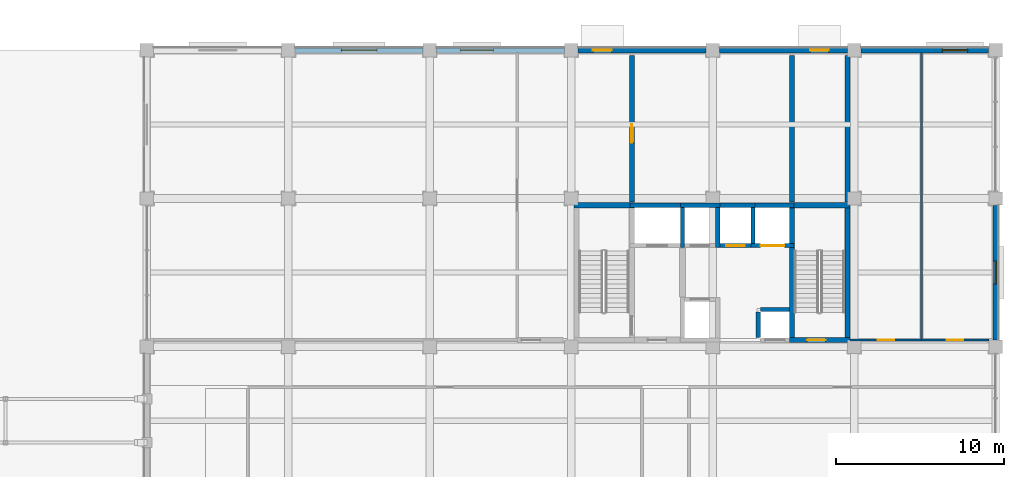
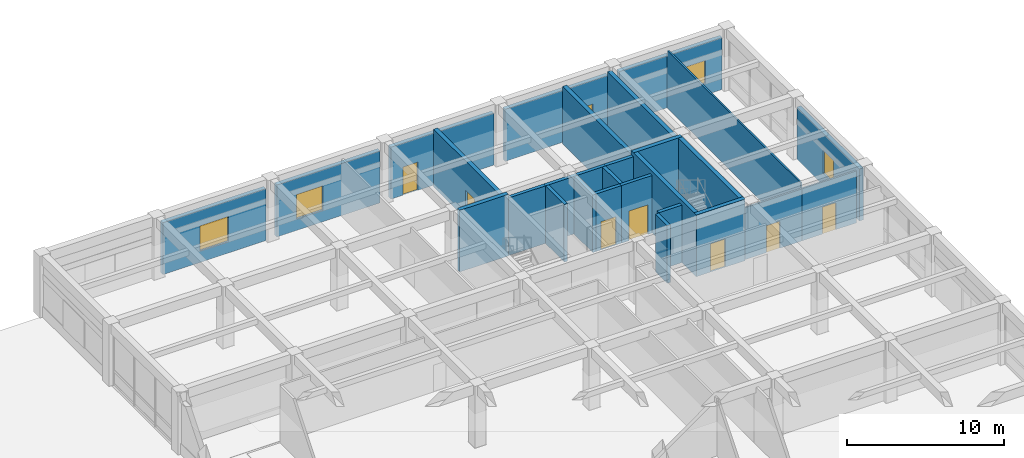
# One storey, part 39 of 58: 28 walls, 8 doors, 4 windows, 12 openings.
"""IFC4 building model written with IfcOpenShell, lengths in metres."""

import ifcopenshell
import ifcopenshell.guid

model = None  # the IFC model being written
_history = None  # IfcOwnerHistory: only IFC2X3 demands one
_inside = {}  # id of a spatial element -> (the spatial element, [elements in it])
_under = {}  # id of a project, library or spatial element -> (it, [spatial elements below it])
_declared = {}  # id of a project -> (the project, [libraries it declares])
_typed = {}  # id of a type object -> (the type object, [elements of that type])
_made_of = {}  # id of a material, layer set ... -> (it, [elements and type objects made of it])


def new_model(schema):
    """Start an empty IFC model of exactly this schema.

    Asked for "IFC4X3", IfcOpenShell would pick the latest addendum, in which some entities
    have other attributes; the version numbers below select the first issue.
    IFC2X3 requires an IfcOwnerHistory on every rooted entity: one is made here for all.
    """
    global model, _history
    if schema == "IFC4X3":
        model = ifcopenshell.file(schema_version=(4, 3, 0, 0))
    else:
        model = ifcopenshell.file(schema=schema)
    _inside.clear()
    _under.clear()
    _declared.clear()
    _typed.clear()
    _made_of.clear()
    _history = None
    if model.schema == "IFC2X3":
        org = make("IfcOrganization", Name="unknown")
        user = make(
            "IfcPersonAndOrganization",
            ThePerson=make("IfcPerson", FamilyName="unknown"),
            TheOrganization=org,
        )
        app = make(
            "IfcApplication",
            ApplicationDeveloper=org,
            Version="unknown",
            ApplicationFullName="unknown",
            ApplicationIdentifier="unknown",
        )
        _history = make(
            "IfcOwnerHistory",
            OwningUser=user,
            OwningApplication=app,
            ChangeAction="ADDED",
            CreationDate=0,
        )
    return model


def make(cls, **values):
    """One entity of the class cls with the attributes given. An attribute that is None is left unset."""
    return model.create_entity(
        cls, **{name: value for name, value in values.items() if value is not None}
    )


def rooted(cls, **values):
    """An entity with a GlobalId (a new one), such as an element, a storey or a relation."""
    return make(cls, GlobalId=ifcopenshell.guid.new(), OwnerHistory=_history, **values)


def si_unit(unit_type, name, prefix=None):
    """IfcSIUnit, for example si_unit("LENGTHUNIT", "METRE", prefix="MILLI")."""
    return make("IfcSIUnit", UnitType=unit_type, Prefix=prefix, Name=name)


def assignment(units):
    """IfcUnitAssignment: the units of a project."""
    return None if units is None else make("IfcUnitAssignment", Units=units)


def point(xyz):
    """IfcCartesianPoint."""
    return None if xyz is None else make("IfcCartesianPoint", Coordinates=xyz)


def direction(xyz):
    """IfcDirection."""
    return None if xyz is None else make("IfcDirection", DirectionRatios=xyz)


def frame(location, z_axis=None, x_axis=None):
    """IfcAxis2Placement3D, a coordinate frame: its origin and axes. An axis left out is left unset."""
    return make(
        "IfcAxis2Placement3D",
        Location=point(location),
        Axis=direction(z_axis),
        RefDirection=direction(x_axis),
    )


def frame_2d(location, x_axis=None):
    """IfcAxis2Placement2D, a coordinate frame in the plane: its origin and x axis."""
    return make(
        "IfcAxis2Placement2D", Location=point(location), RefDirection=direction(x_axis)
    )


def origin():
    """The frame at (0, 0, 0) with its axes left unset."""
    return frame((0.0, 0.0, 0.0))


def place(relative_to, where):
    """IfcLocalPlacement: puts the frame where relative to a parent placement (None: the world)."""
    return make(
        "IfcLocalPlacement", PlacementRelTo=relative_to, RelativePlacement=where
    )


def context(
    kind, dimensions, precision=None, world=None, true_north=None, identifier=None
):
    """IfcGeometricRepresentationContext, for example the 3D "Model" context."""
    return make(
        "IfcGeometricRepresentationContext",
        ContextIdentifier=identifier,
        ContextType=kind,
        CoordinateSpaceDimension=dimensions,
        Precision=precision,
        WorldCoordinateSystem=world,
        TrueNorth=true_north,
    )


def subcontext(parent, identifier, kind, view, scale=None):
    """IfcGeometricRepresentationSubContext, for example "Body" below "Model"."""
    return make(
        "IfcGeometricRepresentationSubContext",
        ContextIdentifier=identifier,
        ContextType=kind,
        ParentContext=parent,
        TargetScale=scale,
        TargetView=view,
    )


def project(units=None, contexts=None):
    """IfcProject with its units and contexts."""
    return rooted(
        "IfcProject",
        Name="project",
        RepresentationContexts=contexts,
        UnitsInContext=assignment(units),
    )


def spatial(cls, under=None, at=None, **own):
    """A site, building, storey or space (cls), placed at a placement, below another one or the project."""
    s = rooted(cls, ObjectPlacement=at, **own)
    if under is not None:
        _under.setdefault(under.id(), (under, []))[1].append(s)
    return s


def profile(cls, at=None, kind="AREA", **sizes):
    """A parametric profile (cls). Its sizes go by their IFC names, for example OverallWidth=200.0."""
    return make(cls, ProfileType=kind, Position=at, **sizes)


def rectangle(**sizes):
    """IfcRectangleProfileDef."""
    return profile("IfcRectangleProfileDef", **sizes)


def extrude(swept, where, along, depth):
    """IfcExtrudedAreaSolid: the profile swept, set in the frame where, extruded along a direction by depth."""
    return make(
        "IfcExtrudedAreaSolid",
        SweptArea=swept,
        Position=where,
        ExtrudedDirection=direction(along),
        Depth=depth,
    )


def shape(context_of_items, identifier, shape_type, items):
    """IfcShapeRepresentation: the items that make up one representation, for example the "Body"."""
    return make(
        "IfcShapeRepresentation",
        ContextOfItems=context_of_items,
        RepresentationIdentifier=identifier,
        RepresentationType=shape_type,
        Items=items,
    )


def material(Name=None, Category=None):
    """IfcMaterial."""
    return make("IfcMaterial", Name=Name, Category=Category)


def layer(
    of_material, thickness, ventilated=None, Name=None, Category=None, Priority=None
):
    """IfcMaterialLayer: one layer of a wall or slab, of a material (None: an air gap)."""
    return make(
        "IfcMaterialLayer",
        Material=of_material,
        LayerThickness=thickness,
        IsVentilated=ventilated,
        Name=Name,
        Category=Category,
        Priority=Priority,
    )


def layer_set(layers, Name=None):
    """IfcMaterialLayerSet."""
    return make("IfcMaterialLayerSet", MaterialLayers=layers, LayerSetName=Name)


def made_of(thing, what):
    """Note that an element or type object is made of a material, layer set ...; save() writes the relation."""
    if what is not None:
        _made_of.setdefault(what.id(), (what, []))[1].append(thing)
    return thing


def type_object(cls, material=None, **own):
    """A type object (cls), such as IfcWallType, which elements share."""
    return made_of(rooted(cls, **own), material)


def element(
    cls,
    number,
    at=None,
    inside=None,
    cuts=None,
    type_object=None,
    material=None,
    context=None,
    identifier="Body",
    shape_type=None,
    held_by="IfcProductDefinitionShape",
    body=None,
    shapes=None,
    **own,
):
    """One element of the class cls, such as IfcWall. Its Tag is "e" and its number.

    at: its placement. inside: the storey or other place that contains it. cuts: it is an
    opening in that element (IfcRelVoidsElement). A single representation is given by context,
    identifier, shape_type and body (its items); several are given by shapes. held_by: the class
    of the entity that holds the representations. save() writes the other relations.
    """
    e = rooted(cls, Tag="e%d" % number, ObjectPlacement=at, **own)
    if body is not None:
        shapes = [shape(context, identifier, shape_type, body)]
    if shapes is not None:
        e.Representation = make(held_by, Representations=shapes)
    if inside is not None:
        _inside.setdefault(inside.id(), (inside, []))[1].append(e)
    if cuts is not None:
        rooted(
            "IfcRelVoidsElement", RelatingBuildingElement=cuts, RelatedOpeningElement=e
        )
    if type_object is not None:
        _typed.setdefault(type_object.id(), (type_object, []))[1].append(e)
    return made_of(e, material)


def fill(opening, filler):
    """IfcRelFillsElement: the door or window that sits in an opening."""
    return rooted(
        "IfcRelFillsElement",
        RelatingOpeningElement=opening,
        RelatedBuildingElement=filler,
    )


def aggregate(whole, parts):
    """IfcRelAggregates: a whole, such as a stair, and the parts it consists of."""
    return rooted("IfcRelAggregates", RelatingObject=whole, RelatedObjects=parts)


def save(model, path):
    """Write the relations noted so far, then the file.

    IfcRelAggregates (storeys below a building ...), IfcRelContainedInSpatialStructure (elements
    in a storey), IfcRelDefinesByType, IfcRelAssociatesMaterial and IfcRelDeclares: one each for
    every whole, place, type object, material and project.
    """
    for whole, parts in _under.values():
        aggregate(whole, parts)
    for where, things in _inside.values():
        rooted(
            "IfcRelContainedInSpatialStructure",
            RelatedElements=things,
            RelatingStructure=where,
        )
    for kind, things in _typed.values():
        rooted("IfcRelDefinesByType", RelatedObjects=things, RelatingType=kind)
    for what, things in _made_of.values():
        rooted("IfcRelAssociatesMaterial", RelatedObjects=things, RelatingMaterial=what)
    for by, libraries in _declared.values():
        rooted("IfcRelDeclares", RelatingContext=by, RelatedDefinitions=libraries)
    model.write(path)


model = new_model("IFC4")

# Units and contexts
model_context = context("Model", 3, precision=1e-05, world=origin(), true_north=direction((0.0, 1.0)))
body_context = subcontext(model_context, "Body", "Model", "MODEL_VIEW")
ifc_project = project(units=[si_unit("LENGTHUNIT", "METRE"), si_unit("AREAUNIT", "SQUARE_METRE"), si_unit("VOLUMEUNIT", "CUBIC_METRE"), si_unit("PLANEANGLEUNIT", "RADIAN"), si_unit("MASSUNIT", "GRAM", prefix="KILO")], contexts=[model_context])

# Site, building, storey
site_placement = place(None, origin())
site = spatial("IfcSite", under=ifc_project, at=site_placement, CompositionType="ELEMENT")
building_placement = place(site_placement, origin())
building = spatial("IfcBuilding", under=site, at=building_placement, Name="Kemercrest Conservatory and Botanical Centre", CompositionType="ELEMENT")
storey_placement = place(building_placement, origin())
storey = spatial("IfcBuildingStorey", under=building, at=storey_placement, Name="L00", CompositionType="ELEMENT", Elevation=0.0)

# Wall
ifc_material_1 = material(Name="Concrete C50/60", Category="concrete")
ifc_layer_1 = layer(ifc_material_1, 0.300048828125)
ifc_layer_set_1 = layer_set([ifc_layer_1], Name="Concrete C50/60")
wall_type_1 = type_object("IfcWallType", Name="CW-STAIR", PredefinedType="SHEAR", material=ifc_layer_set_1)
wall_1_placement = place(storey_placement, frame((150.949951171875, 113.199951171875, 0.0), z_axis=(0.0, 0.0, 1.0), x_axis=(1.0, 0.0, 0.0)))
element("IfcWall", 1, at=wall_1_placement, inside=storey, type_object=wall_type_1, Name="Stair core ST-V4A shear wall N", PredefinedType="SHEAR", context=body_context, shape_type="SweptSolid", body=[
    extrude(rectangle(XDim=3.60009765625, YDim=0.300048828125, at=frame_2d((1.800048828125, 0.0))), origin(), (0.0, 0.0, 1.0), 4.800048828125),
])

# Wall, opening, door
wall_2_placement = place(storey_placement, frame((163.75, 105.199951171875, 0.0), z_axis=(0.0, 0.0, 1.0), x_axis=(1.0, 0.0, 0.0)))
wall_2 = element("IfcWall", 2, at=wall_2_placement, inside=storey, type_object=wall_type_1, Name="Stair core ST-V4B shear wall S", PredefinedType="SHEAR", context=body_context, shape_type="SweptSolid", body=[
    extrude(rectangle(XDim=3.60009765625, YDim=0.300048828125, at=frame_2d((1.800048828125, 0.0))), origin(), (0.0, 0.0, 1.0), 4.800048828125),
])
opening_1_placement = place(wall_2_placement, frame((1.050048828125, 0.0, 0.0)))
opening_1 = element("IfcOpeningElement", 3, at=opening_1_placement, cuts=wall_2, Name="Opening D045", PredefinedType="OPENING", context=body_context, shape_type="SweptSolid", body=[
    extrude(rectangle(XDim=1.10009765625, YDim=2.199951171875, at=frame_2d((0.550048828125, 1.10009765625))), frame((0.0, 0.16015625, 0.0), z_axis=(0.0, -1.0, 0.0), x_axis=(1.0, 0.0, 0.0)), (0.0, 0.0, 1.0), 0.320068359375),
])
ifc_material_2 = material(Name="Powder-coated galvanized steel and fire-rated vision glass", Category="steel")
door_type_1 = type_object("IfcDoorType", Name="DT-FD90", OperationType="NOTDEFINED", PredefinedType="DOOR", material=ifc_material_2)
door_1_placement = place(opening_1_placement, frame((1.10009765625, 0.0, 0.0), z_axis=(0.0, 0.0, 1.0), x_axis=(-1.0, 0.0, 0.0)))
door_1 = element("IfcDoor", 4, at=door_1_placement, inside=storey, type_object=door_type_1, Name="Exit stair ST-V4B fire door D045", OperationType="SINGLE_SWING_LEFT", OverallHeight=2.199951171875, OverallWidth=1.10009765625, PredefinedType="DOOR", context=body_context, shape_type="SweptSolid", body=[
    extrude(rectangle(XDim=1.10009765625, YDim=2.199951171875, at=frame_2d((0.550048828125, 1.10009765625))), frame((0.0, 0.02490234375, 0.0), z_axis=(0.0, -1.0, 0.0), x_axis=(1.0, 0.0, 0.0)), (0.0, 0.0, 1.0), 0.050048828125),
])
fill(opening_1, door_1)

# Walls
wall_3_placement = place(storey_placement, frame((163.75, 113.199951171875, 0.0), z_axis=(0.0, 0.0, 1.0), x_axis=(1.0, 0.0, 0.0)))
element("IfcWall", 5, at=wall_3_placement, inside=storey, type_object=wall_type_1, Name="Stair core ST-V4B shear wall N", PredefinedType="SHEAR", context=body_context, shape_type="SweptSolid", body=[
    extrude(rectangle(XDim=3.60009765625, YDim=0.300048828125, at=frame_2d((1.800048828125, 0.0))), origin(), (0.0, 0.0, 1.0), 4.800048828125),
])
for number, where, z_axis, x_axis, name in (
    (6, (163.89990234375, 105.050048828125, 0.0), (0.0, 0.0, 1.0), (0.0, 1.0, 0.0), "Stair core ST-V4B shear wall W"),
    (7, (167.199951171875, 105.050048828125, 0.0), (0.0, 0.0, 1.0), (0.0, 1.0, 0.0), "Stair core ST-V4B shear wall E"),
):
    element("IfcWall", number, at=place(storey_placement, frame(where, z_axis=z_axis, x_axis=x_axis)), inside=storey, type_object=wall_type_1, Name=name, PredefinedType="SHEAR", context=body_context, shape_type="SweptSolid", body=[
        extrude(rectangle(XDim=8.300048828125, YDim=0.300048828125, at=frame_2d((4.14990234375, 0.0))), origin(), (0.0, 0.0, 1.0), 4.800048828125),
    ])

# Wall, opening, door
wall_4_placement = place(storey_placement, frame((154.39990234375, 113.39990234375, 0.0), z_axis=(0.0, 0.0, 1.0), x_axis=(0.0, 1.0, 0.0)))
wall_4 = element("IfcWall", 8, at=wall_4_placement, inside=storey, type_object=wall_type_1, Name="Protected exit passage 2-hour wall PA-E", PredefinedType="SHEAR", context=body_context, shape_type="SweptSolid", body=[
    extrude(rectangle(XDim=8.7001953125, YDim=0.300048828125, at=frame_2d((4.35009765625, 0.0))), origin(), (0.0, 0.0, 1.0), 4.47998046875),
])
opening_2_placement = place(wall_4_placement, frame((3.5, 0.0, 0.0)))
opening_2 = element("IfcOpeningElement", 9, at=opening_2_placement, cuts=wall_4, Name="Opening D072", PredefinedType="OPENING", context=body_context, shape_type="SweptSolid", body=[
    extrude(rectangle(XDim=1.10009765625, YDim=2.199951171875, at=frame_2d((0.550048828125, 1.10009765625))), frame((0.0, 0.16015625, 0.0), z_axis=(0.0, -1.0, 0.0), x_axis=(1.0, 0.0, 0.0)), (0.0, 0.0, 1.0), 0.320068359375),
])
door_2_placement = place(opening_2_placement, origin())
door_2 = element("IfcDoor", 10, at=door_2_placement, inside=storey, type_object=door_type_1, Name="Fire Command Room interior fire door D072", OperationType="SINGLE_SWING_LEFT", OverallHeight=2.199951171875, OverallWidth=1.10009765625, PredefinedType="DOOR", context=body_context, shape_type="SweptSolid", body=[
    extrude(rectangle(XDim=1.10009765625, YDim=2.199951171875, at=frame_2d((0.550048828125, 1.10009765625))), frame((0.0, 0.02490234375, 0.0), z_axis=(0.0, -1.0, 0.0), x_axis=(1.0, 0.0, 0.0)), (0.0, 0.0, 1.0), 0.050048828125),
])
fill(opening_2, door_2)

# Walls
for number, where, z_axis, x_axis, name in (
    (11, (163.89990234375, 113.39990234375, 0.0), (0.0, 0.0, 1.0), (0.0, 1.0, 0.0), "Protected exit passage 2-hour wall PB-W"),
    (12, (167.199951171875, 113.39990234375, 0.0), (0.0, 0.0, 1.0), (0.0, 1.0, 0.0), "Protected exit passage 2-hour wall PB-E"),
):
    element("IfcWall", number, at=place(storey_placement, frame(where, z_axis=z_axis, x_axis=x_axis)), inside=storey, type_object=wall_type_1, Name=name, PredefinedType="SHEAR", context=body_context, shape_type="SweptSolid", body=[
        extrude(rectangle(XDim=8.7001953125, YDim=0.300048828125, at=frame_2d((4.35009765625, 0.0))), origin(), (0.0, 0.0, 1.0), 4.47998046875),
    ])

# Wall, opening, window
ifc_material_3 = material(Name="Precast concrete C40/50", Category="concrete")
ifc_layer_2 = layer(ifc_material_3, 0.300048828125)
ifc_layer_set_2 = layer_set([ifc_layer_2], Name="Precast concrete C40/50")
wall_type_2 = type_object("IfcWallType", Name="W-EXT300", PredefinedType="SOLIDWALL", material=ifc_layer_set_2)
wall_5_placement = place(storey_placement, frame((176.0, 105.2099609375, 0.0), z_axis=(0.0, 0.0, 1.0), x_axis=(0.0, 1.0, 0.0)))
wall_5 = element("IfcWall", 13, at=wall_5_placement, inside=storey, type_object=wall_type_2, Name="Exterior almasik wall W-EXT300 (WAL:L00:EXT-163)", PredefinedType="SOLIDWALL", context=body_context, shape_type="SweptSolid", body=[
    extrude(rectangle(XDim=7.97998046875, YDim=0.300048828125, at=frame_2d((3.989990234375, 0.0))), origin(), (0.0, 0.0, 1.0), 4.050048828125),
])
opening_3_placement = place(wall_5_placement, frame((3.31494140625, 0.0, 0.89990234375)))
opening_3 = element("IfcOpeningElement", 14, at=opening_3_placement, cuts=wall_5, Name="Opening WT-02", PredefinedType="OPENING", context=body_context, shape_type="SweptSolid", body=[
    extrude(rectangle(XDim=1.35009765625, YDim=1.800048828125, at=frame_2d((0.675048828125, 0.89990234375))), frame((0.0, 0.16015625, 0.0), z_axis=(0.0, -1.0, 0.0), x_axis=(1.0, 0.0, 0.0)), (0.0, 0.0, 1.0), 0.320068359375),
])
ifc_material_4 = material(Name="Thermally broken bronze-anodized aluminium and triple glazing", Category="aluminium")
window_type_1 = type_object("IfcWindowType", Name="WT-02", PartitioningType="SINGLE_PANEL", PredefinedType="WINDOW", material=ifc_material_4)
window_1_placement = place(opening_3_placement, origin())
window_1 = element("IfcWindow", 15, at=window_1_placement, inside=storey, type_object=window_type_1, Name="Exterior window WT-02 (WIN:L00:EXT-163)", OverallHeight=1.800048828125, OverallWidth=1.35009765625, PartitioningType="SINGLE_PANEL", PredefinedType="WINDOW", context=body_context, shape_type="SweptSolid", body=[
    extrude(rectangle(XDim=1.35009765625, YDim=1.800048828125, at=frame_2d((0.675048828125, 0.89990234375))), frame((0.0, 0.030029296875, 0.0), z_axis=(0.0, -1.0, 0.0), x_axis=(1.0, 0.0, 0.0)), (0.0, 0.0, 1.0), 0.06005859375),
])
fill(opening_3, window_1)

wall_6_placement = place(storey_placement, frame((175.590087890625, 122.39990234375, 0.0), z_axis=(0.0, 0.0, 1.0), x_axis=(-1.0, 0.0, 0.0)))
wall_6 = element("IfcWall", 16, at=wall_6_placement, inside=storey, type_object=wall_type_2, Name="Exterior almasik wall W-EXT300 (WAL:L00:EXT-164)", PredefinedType="SOLIDWALL", context=body_context, shape_type="SweptSolid", body=[
    extrude(rectangle(XDim=7.580078125, YDim=0.300048828125, at=frame_2d((3.7900390625, 0.0))), origin(), (0.0, 0.0, 1.0), 4.050048828125),
])
opening_4_placement = place(wall_6_placement, frame((1.2451171875, 0.0, 0.89990234375)))
opening_4 = element("IfcOpeningElement", 17, at=opening_4_placement, cuts=wall_6, Name="Opening WT-03", PredefinedType="OPENING", context=body_context, shape_type="SweptSolid", body=[
    extrude(rectangle(XDim=1.5, YDim=1.800048828125, at=frame_2d((0.75, 0.89990234375))), frame((0.0, 0.16015625, 0.0), z_axis=(0.0, -1.0, 0.0), x_axis=(1.0, 0.0, 0.0)), (0.0, 0.0, 1.0), 0.320068359375),
])
window_type_2 = type_object("IfcWindowType", Name="WT-03", PartitioningType="SINGLE_PANEL", PredefinedType="WINDOW", material=ifc_material_4)
window_2_placement = place(opening_4_placement, origin())
window_2 = element("IfcWindow", 18, at=window_2_placement, inside=storey, type_object=window_type_2, Name="Exterior window WT-03 (WIN:L00:EXT-164)", OverallHeight=1.800048828125, OverallWidth=1.5, PartitioningType="SINGLE_PANEL", PredefinedType="WINDOW", context=body_context, shape_type="SweptSolid", body=[
    extrude(rectangle(XDim=1.5, YDim=1.800048828125, at=frame_2d((0.75, 0.89990234375))), frame((0.0, 0.030029296875, 0.0), z_axis=(0.0, -1.0, 0.0), x_axis=(1.0, 0.0, 0.0)), (0.0, 0.0, 1.0), 0.06005859375),
])
fill(opening_4, window_2)

# Wall, opening, door
wall_7_placement = place(storey_placement, frame((167.18994140625, 122.39990234375, 0.0), z_axis=(0.0, 0.0, 1.0), x_axis=(-1.0, 0.0, 0.0)))
wall_7 = element("IfcWall", 19, at=wall_7_placement, inside=storey, type_object=wall_type_2, Name="Exterior almasik wall W-EXT300 (WAL:L00:EXT-165)", PredefinedType="SOLIDWALL", context=body_context, shape_type="SweptSolid", body=[
    extrude(rectangle(XDim=7.579833984375, YDim=0.300048828125, at=frame_2d((3.7900390625, 0.0))), origin(), (0.0, 0.0, 1.0), 4.050048828125),
])
opening_5_placement = place(wall_7_placement, frame((1.10009765625, 0.0, 0.0)))
opening_5 = element("IfcOpeningElement", 20, at=opening_5_placement, cuts=wall_7, Name="Opening ED036", PredefinedType="OPENING", context=body_context, shape_type="SweptSolid", body=[
    extrude(rectangle(XDim=1.10009765625, YDim=2.199951171875, at=frame_2d((0.550048828125, 1.10009765625))), frame((0.0, 0.16015625, 0.0), z_axis=(0.0, -1.0, 0.0), x_axis=(1.0, 0.0, 0.0)), (0.0, 0.0, 1.0), 0.320068359375),
])
ifc_material_5 = material(Name="Thermally broken bronze-anodized aluminium and laminated safety glass", Category="aluminium")
door_type_2 = type_object("IfcDoorType", Name="DT-E03", OperationType="NOTDEFINED", PredefinedType="DOOR", material=ifc_material_5)
door_3_placement = place(opening_5_placement, frame((1.10009765625, 0.0, 0.0), z_axis=(0.0, 0.0, 1.0), x_axis=(-1.0, 0.0, 0.0)))
door_3 = element("IfcDoor", 21, at=door_3_placement, inside=storey, type_object=door_type_2, Name="North Exit Passage B Exterior Discharge Door", OperationType="SINGLE_SWING_RIGHT", OverallHeight=2.199951171875, OverallWidth=1.10009765625, PredefinedType="DOOR", context=body_context, shape_type="SweptSolid", body=[
    extrude(rectangle(XDim=1.10009765625, YDim=2.199951171875, at=frame_2d((0.550048828125, 1.10009765625))), frame((0.0, 0.02490234375, 0.0), z_axis=(0.0, -1.0, 0.0), x_axis=(1.0, 0.0, 0.0)), (0.0, 0.0, 1.0), 0.050048828125),
])
fill(opening_5, door_3)

wall_8_placement = place(storey_placement, frame((158.7900390625, 122.39990234375, 0.0), z_axis=(0.0, 0.0, 1.0), x_axis=(-1.0, 0.0, 0.0)))
wall_8 = element("IfcWall", 22, at=wall_8_placement, inside=storey, type_object=wall_type_2, Name="Exterior almasik wall W-EXT300 (WAL:L00:EXT-166)", PredefinedType="SOLIDWALL", context=body_context, shape_type="SweptSolid", body=[
    extrude(rectangle(XDim=7.580078125, YDim=0.300048828125, at=frame_2d((3.7900390625, 0.0))), origin(), (0.0, 0.0, 1.0), 4.050048828125),
])
opening_6_placement = place(wall_8_placement, frame((5.60009765625, 0.0, 0.0)))
opening_6 = element("IfcOpeningElement", 23, at=opening_6_placement, cuts=wall_8, Name="Opening ED037", PredefinedType="OPENING", context=body_context, shape_type="SweptSolid", body=[
    extrude(rectangle(XDim=1.10009765625, YDim=2.199951171875, at=frame_2d((0.550048828125, 1.10009765625))), frame((0.0, 0.16015625, 0.0), z_axis=(0.0, -1.0, 0.0), x_axis=(1.0, 0.0, 0.0)), (0.0, 0.0, 1.0), 0.320068359375),
])
door_4_placement = place(opening_6_placement, frame((1.10009765625, 0.0, 0.0), z_axis=(0.0, 0.0, 1.0), x_axis=(-1.0, 0.0, 0.0)))
door_4 = element("IfcDoor", 24, at=door_4_placement, inside=storey, type_object=door_type_2, Name="North Exit Passage A Exterior Discharge Door", OperationType="SINGLE_SWING_LEFT", OverallHeight=2.199951171875, OverallWidth=1.10009765625, PredefinedType="DOOR", context=body_context, shape_type="SweptSolid", body=[
    extrude(rectangle(XDim=1.10009765625, YDim=2.199951171875, at=frame_2d((0.550048828125, 1.10009765625))), frame((0.0, 0.02490234375, 0.0), z_axis=(0.0, -1.0, 0.0), x_axis=(1.0, 0.0, 0.0)), (0.0, 0.0, 1.0), 0.050048828125),
])
fill(opening_6, door_4)

# Wall, opening, window
wall_9_placement = place(storey_placement, frame((150.389892578125, 122.39990234375, 0.0), z_axis=(0.0, 0.0, 1.0), x_axis=(-1.0, 0.0, 0.0)))
wall_9 = element("IfcWall", 25, at=wall_9_placement, inside=storey, type_object=wall_type_2, Name="Exterior almasik wall W-EXT300 (WAL:L00:EXT-167)", PredefinedType="SOLIDWALL", context=body_context, shape_type="SweptSolid", body=[
    extrude(rectangle(XDim=7.579833984375, YDim=0.300048828125, at=frame_2d((3.7900390625, 0.0))), origin(), (0.0, 0.0, 1.0), 4.050048828125),
])
opening_7_placement = place(wall_9_placement, frame((4.2099609375, 0.0, 0.89990234375)))
opening_7 = element("IfcOpeningElement", 26, at=opening_7_placement, cuts=wall_9, Name="Opening WT-06", PredefinedType="OPENING", context=body_context, shape_type="SweptSolid", body=[
    extrude(rectangle(XDim=1.949951171875, YDim=1.89990234375, at=frame_2d((0.97509765625, 0.949951171875))), frame((0.0, 0.16015625, 0.0), z_axis=(0.0, -1.0, 0.0), x_axis=(1.0, 0.0, 0.0)), (0.0, 0.0, 1.0), 0.320068359375),
])
window_type_3 = type_object("IfcWindowType", Name="WT-06", PartitioningType="SINGLE_PANEL", PredefinedType="WINDOW", material=ifc_material_4)
window_3_placement = place(opening_7_placement, origin())
window_3 = element("IfcWindow", 27, at=window_3_placement, inside=storey, type_object=window_type_3, Name="Exterior window WT-06 (WIN:L00:EXT-167)", OverallHeight=1.89990234375, OverallWidth=1.949951171875, PartitioningType="SINGLE_PANEL", PredefinedType="WINDOW", context=body_context, shape_type="SweptSolid", body=[
    extrude(rectangle(XDim=1.949951171875, YDim=1.89990234375, at=frame_2d((0.97509765625, 0.949951171875))), frame((0.0, 0.030029296875, 0.0), z_axis=(0.0, -1.0, 0.0), x_axis=(1.0, 0.0, 0.0)), (0.0, 0.0, 1.0), 0.06005859375),
])
fill(opening_7, window_3)

wall_10_placement = place(storey_placement, frame((141.989990234375, 122.39990234375, 0.0), z_axis=(0.0, 0.0, 1.0), x_axis=(-1.0, 0.0, 0.0)))
wall_10 = element("IfcWall", 28, at=wall_10_placement, inside=storey, type_object=wall_type_2, Name="Exterior almasik wall W-EXT300 (WAL:L00:EXT-168)", PredefinedType="SOLIDWALL", context=body_context, shape_type="SweptSolid", body=[
    extrude(rectangle(XDim=7.580078125, YDim=0.300048828125, at=frame_2d((3.7900390625, 0.0))), origin(), (0.0, 0.0, 1.0), 4.050048828125),
])
opening_8_placement = place(wall_10_placement, frame((2.739990234375, 0.0, 0.89990234375)))
opening_8 = element("IfcOpeningElement", 29, at=opening_8_placement, cuts=wall_10, Name="Opening WT-07", PredefinedType="OPENING", context=body_context, shape_type="SweptSolid", body=[
    extrude(rectangle(XDim=2.10009765625, YDim=1.949951171875, at=frame_2d((1.050048828125, 0.97509765625))), frame((0.0, 0.16015625, 0.0), z_axis=(0.0, -1.0, 0.0), x_axis=(1.0, 0.0, 0.0)), (0.0, 0.0, 1.0), 0.320068359375),
])
window_type_4 = type_object("IfcWindowType", Name="WT-07", PartitioningType="SINGLE_PANEL", PredefinedType="WINDOW", material=ifc_material_4)
window_4_placement = place(opening_8_placement, origin())
window_4 = element("IfcWindow", 30, at=window_4_placement, inside=storey, type_object=window_type_4, Name="Exterior window WT-07 (WIN:L00:EXT-168)", OverallHeight=1.949951171875, OverallWidth=2.10009765625, PartitioningType="SINGLE_PANEL", PredefinedType="WINDOW", context=body_context, shape_type="SweptSolid", body=[
    extrude(rectangle(XDim=2.10009765625, YDim=1.949951171875, at=frame_2d((1.050048828125, 0.97509765625))), frame((0.0, 0.030029296875, 0.0), z_axis=(0.0, -1.0, 0.0), x_axis=(1.0, 0.0, 0.0)), (0.0, 0.0, 1.0), 0.06005859375),
])
fill(opening_8, window_4)

# Wall, opening, door
ifc_material_6 = material(Name="Moisture-resistant gypsum board partition", Category="gypsum")
ifc_layer_3 = layer(ifc_material_6, 0.125)
ifc_layer_set_3 = layer_set([ifc_layer_3], Name="Moisture-resistant gypsum board partition")
wall_type_3 = type_object("IfcWallType", Name="W-PART125", PredefinedType="PARTITIONING", material=ifc_layer_set_3)
wall_11_placement = place(storey_placement, frame((167.35498046875, 105.199951171875, 0.0), z_axis=(0.0, 0.0, 1.0), x_axis=(1.0, 0.0, 0.0)))
wall_11 = element("IfcWall", 31, at=wall_11_placement, inside=storey, type_object=wall_type_3, Name="Interior partition W-PART125 #40", PredefinedType="PARTITIONING", context=body_context, shape_type="SweptSolid", body=[
    extrude(rectangle(XDim=4.2451171875, YDim=0.125, at=frame_2d((2.12255859375, 0.0))), origin(), (0.0, 0.0, 1.0), 4.044921875),
])
opening_9_placement = place(wall_11_placement, frame((1.632568359375, 0.0, 0.0)))
opening_9 = element("IfcOpeningElement", 32, at=opening_9_placement, cuts=wall_11, Name="Opening D134", PredefinedType="OPENING", context=body_context, shape_type="SweptSolid", body=[
    extrude(rectangle(XDim=0.97998046875, YDim=2.10009765625, at=frame_2d((0.489990234375, 1.050048828125))), frame((0.0, 0.072509765625, 0.0), z_axis=(0.0, -1.0, 0.0), x_axis=(1.0, 0.0, 0.0)), (0.0, 0.0, 1.0), 0.14501953125),
])
ifc_material_7 = material(Name="FSC solid-core white oak veneer and anodized aluminium frame", Category="aluminium")
door_type_3 = type_object("IfcDoorType", Name="DT-02", OperationType="NOTDEFINED", PredefinedType="DOOR", material=ifc_material_7)
door_5_placement = place(opening_9_placement, origin())
door_5 = element("IfcDoor", 33, at=door_5_placement, inside=storey, type_object=door_type_3, Name="Public Washroom door D134", OperationType="SINGLE_SWING_RIGHT", OverallHeight=2.10009765625, OverallWidth=0.97998046875, PredefinedType="DOOR", context=body_context, shape_type="SweptSolid", body=[
    extrude(rectangle(XDim=0.97998046875, YDim=2.10009765625, at=frame_2d((0.489990234375, 1.050048828125))), frame((0.0, 0.02490234375, 0.0), z_axis=(0.0, -1.0, 0.0), x_axis=(1.0, 0.0, 0.0)), (0.0, 0.0, 1.0), 0.050048828125),
])
fill(opening_9, door_5)

wall_12_placement = place(storey_placement, frame((171.60009765625, 105.199951171875, 0.0), z_axis=(0.0, 0.0, 1.0), x_axis=(1.0, 0.0, 0.0)))
wall_12 = element("IfcWall", 34, at=wall_12_placement, inside=storey, type_object=wall_type_3, Name="Interior partition W-PART125 #41", PredefinedType="PARTITIONING", context=body_context, shape_type="SweptSolid", body=[
    extrude(rectangle(XDim=4.0, YDim=0.125, at=frame_2d((2.0, 0.0))), origin(), (0.0, 0.0, 1.0), 4.044921875),
])
opening_10_placement = place(wall_12_placement, frame((1.510009765625, 0.0, 0.0)))
opening_10 = element("IfcOpeningElement", 35, at=opening_10_placement, cuts=wall_12, Name="Opening D135", PredefinedType="OPENING", context=body_context, shape_type="SweptSolid", body=[
    extrude(rectangle(XDim=0.97998046875, YDim=2.10009765625, at=frame_2d((0.489990234375, 1.050048828125))), frame((0.0, 0.072509765625, 0.0), z_axis=(0.0, -1.0, 0.0), x_axis=(1.0, 0.0, 0.0)), (0.0, 0.0, 1.0), 0.14501953125),
])
door_6_placement = place(opening_10_placement, origin())
door_6 = element("IfcDoor", 36, at=door_6_placement, inside=storey, type_object=door_type_3, Name="Universal Accessible Washroom door D135", OperationType="SINGLE_SWING_LEFT", OverallHeight=2.10009765625, OverallWidth=0.97998046875, PredefinedType="DOOR", context=body_context, shape_type="SweptSolid", body=[
    extrude(rectangle(XDim=0.97998046875, YDim=2.10009765625, at=frame_2d((0.489990234375, 1.050048828125))), frame((0.0, 0.02490234375, 0.0), z_axis=(0.0, -1.0, 0.0), x_axis=(1.0, 0.0, 0.0)), (0.0, 0.0, 1.0), 0.050048828125),
])
fill(opening_10, door_6)

# Walls
wall_13_placement = place(storey_placement, frame((171.60009765625, 105.267578125, 0.0), z_axis=(0.0, 0.0, 1.0), x_axis=(0.0, 1.0, 0.0)))
element("IfcWall", 37, at=wall_13_placement, inside=storey, type_object=wall_type_3, Name="Interior partition W-PART125 #60", PredefinedType="PARTITIONING", context=body_context, shape_type="SweptSolid", body=[
    extrude(rectangle(XDim=16.9775390625, YDim=0.125, at=frame_2d((8.48876953125, 0.0))), origin(), (0.0, 0.0, 1.0), 4.465087890625),
])
ifc_material_8 = material(Name="Concrete C40/50", Category="concrete")
ifc_layer_4 = layer(ifc_material_8, 0.25)
ifc_layer_set_4 = layer_set([ifc_layer_4], Name="Concrete C40/50")
wall_type_4 = type_object("IfcWallType", Name="W-SHFT250", PredefinedType="SOLIDWALL", material=ifc_layer_set_4)
wall_14_placement = place(storey_placement, frame((154.27490234375, 113.199951171875, 0.0), z_axis=(0.0, 0.0, 1.0), x_axis=(1.0, 0.0, 0.0)))
element("IfcWall", 38, at=wall_14_placement, inside=storey, type_object=wall_type_4, Name="Elevator LF-FF1 shaft wall north", PredefinedType="SOLIDWALL", context=body_context, shape_type="SweptSolid", body=[
    extrude(rectangle(XDim=3.25, YDim=0.25, at=frame_2d((1.625, 0.0))), origin(), (0.0, 0.0, 1.0), 4.47998046875),
])
wall_15_placement = place(storey_placement, frame((157.39990234375, 110.675048828125, 0.0), z_axis=(0.0, 0.0, 1.0), x_axis=(0.0, 1.0, 0.0)))
element("IfcWall", 39, at=wall_15_placement, inside=storey, type_object=wall_type_4, Name="Elevator LF-FF1 shaft wall east", PredefinedType="SOLIDWALL", context=body_context, shape_type="SweptSolid", body=[
    extrude(rectangle(XDim=2.64990234375, YDim=0.25, at=frame_2d((1.324951171875, 0.0))), origin(), (0.0, 0.0, 1.0), 4.47998046875),
])
wall_16_placement = place(storey_placement, frame((157.27490234375, 113.199951171875, 0.0), z_axis=(0.0, 0.0, 1.0), x_axis=(1.0, 0.0, 0.0)))
element("IfcWall", 40, at=wall_16_placement, inside=storey, type_object=wall_type_4, Name="Elevator LF-P1 shaft wall north", PredefinedType="SOLIDWALL", context=body_context, shape_type="SweptSolid", body=[
    extrude(rectangle(XDim=2.35009765625, YDim=0.25, at=frame_2d((1.175048828125, 0.0))), origin(), (0.0, 0.0, 1.0), 4.47998046875),
])
wall_17_placement = place(storey_placement, frame((159.5, 110.675048828125, 0.0), z_axis=(0.0, 0.0, 1.0), x_axis=(0.0, 1.0, 0.0)))
element("IfcWall", 41, at=wall_17_placement, inside=storey, type_object=wall_type_4, Name="Elevator LF-P1 shaft wall east", PredefinedType="SOLIDWALL", context=body_context, shape_type="SweptSolid", body=[
    extrude(rectangle(XDim=2.64990234375, YDim=0.25, at=frame_2d((1.324951171875, 0.0))), origin(), (0.0, 0.0, 1.0), 4.47998046875),
])

# Wall, opening, door
wall_18_placement = place(storey_placement, frame((159.375, 110.800048828125, 0.0), z_axis=(0.0, 0.0, 1.0), x_axis=(1.0, 0.0, 0.0)))
wall_18 = element("IfcWall", 42, at=wall_18_placement, inside=storey, type_object=wall_type_4, Name="Elevator LF-P2 shaft wall south", PredefinedType="SOLIDWALL", context=body_context, shape_type="SweptSolid", body=[
    extrude(rectangle(XDim=2.35009765625, YDim=0.25, at=frame_2d((1.175048828125, 0.0))), origin(), (0.0, 0.0, 1.0), 4.47998046875),
])
opening_11_placement = place(wall_18_placement, frame((0.625, 0.0, 0.0)))
opening_11 = element("IfcOpeningElement", 43, at=opening_11_placement, cuts=wall_18, Name="Opening LD-040", PredefinedType="OPENING", context=body_context, shape_type="SweptSolid", body=[
    extrude(rectangle(XDim=1.10009765625, YDim=2.199951171875, at=frame_2d((0.550048828125, 1.10009765625))), frame((0.0, 0.135009765625, 0.0), z_axis=(0.0, -1.0, 0.0), x_axis=(1.0, 0.0, 0.0)), (0.0, 0.0, 1.0), 0.27001953125),
])
door_type_4 = type_object("IfcDoorType", Name="DT-LD01", OperationType="SLIDING_TO_LEFT", PredefinedType="DOOR", material=ifc_material_2)
door_7_placement = place(opening_11_placement, origin())
door_7 = element("IfcDoor", 44, at=door_7_placement, inside=storey, type_object=door_type_4, Name="Elevator LF-P2 sliding landing door LD-040", OperationType="SLIDING_TO_LEFT", OverallHeight=2.199951171875, OverallWidth=1.10009765625, PredefinedType="DOOR", context=body_context, shape_type="SweptSolid", body=[
    extrude(rectangle(XDim=1.10009765625, YDim=2.199951171875, at=frame_2d((0.550048828125, 1.10009765625))), frame((0.0, 0.02490234375, 0.0), z_axis=(0.0, -1.0, 0.0), x_axis=(1.0, 0.0, 0.0)), (0.0, 0.0, 1.0), 0.050048828125),
])
fill(opening_11, door_7)

# Walls
wall_19_placement = place(storey_placement, frame((159.375, 113.199951171875, 0.0), z_axis=(0.0, 0.0, 1.0), x_axis=(1.0, 0.0, 0.0)))
element("IfcWall", 45, at=wall_19_placement, inside=storey, type_object=wall_type_4, Name="Elevator LF-P2 shaft wall north", PredefinedType="SOLIDWALL", context=body_context, shape_type="SweptSolid", body=[
    extrude(rectangle(XDim=2.35009765625, YDim=0.25, at=frame_2d((1.175048828125, 0.0))), origin(), (0.0, 0.0, 1.0), 4.47998046875),
])
wall_20_placement = place(storey_placement, frame((161.60009765625, 110.675048828125, 0.0), z_axis=(0.0, 0.0, 1.0), x_axis=(0.0, 1.0, 0.0)))
element("IfcWall", 46, at=wall_20_placement, inside=storey, type_object=wall_type_4, Name="Elevator LF-P2 shaft wall east", PredefinedType="SOLIDWALL", context=body_context, shape_type="SweptSolid", body=[
    extrude(rectangle(XDim=2.64990234375, YDim=0.25, at=frame_2d((1.324951171875, 0.0))), origin(), (0.0, 0.0, 1.0), 4.47998046875),
])

# Wall, opening, door
wall_21_placement = place(storey_placement, frame((161.47509765625, 110.800048828125, 0.0), z_axis=(0.0, 0.0, 1.0), x_axis=(1.0, 0.0, 0.0)))
wall_21 = element("IfcWall", 47, at=wall_21_placement, inside=storey, type_object=wall_type_4, Name="Elevator LF-G1 shaft wall south", PredefinedType="SOLIDWALL", context=body_context, shape_type="SweptSolid", body=[
    extrude(rectangle(XDim=2.5498046875, YDim=0.25, at=frame_2d((1.27490234375, 0.0))), origin(), (0.0, 0.0, 1.0), 4.47998046875),
])
opening_12_placement = place(wall_21_placement, frame((0.574951171875, 0.0, 0.0)))
opening_12 = element("IfcOpeningElement", 48, at=opening_12_placement, cuts=wall_21, Name="Opening LD-076", PredefinedType="OPENING", context=body_context, shape_type="SweptSolid", body=[
    extrude(rectangle(XDim=1.39990234375, YDim=2.300048828125, at=frame_2d((0.699951171875, 1.14990234375))), frame((0.0, 0.135009765625, 0.0), z_axis=(0.0, -1.0, 0.0), x_axis=(1.0, 0.0, 0.0)), (0.0, 0.0, 1.0), 0.27001953125),
])
door_type_5 = type_object("IfcDoorType", Name="DT-LD03", OperationType="SLIDING_TO_LEFT", PredefinedType="DOOR", material=ifc_material_2)
door_8_placement = place(opening_12_placement, origin())
door_8 = element("IfcDoor", 49, at=door_8_placement, inside=storey, type_object=door_type_5, Name="Elevator LF-G1 sliding landing door LD-076", OperationType="SLIDING_TO_LEFT", OverallHeight=2.300048828125, OverallWidth=1.39990234375, PredefinedType="DOOR", context=body_context, shape_type="SweptSolid", body=[
    extrude(rectangle(XDim=1.39990234375, YDim=2.300048828125, at=frame_2d((0.699951171875, 1.14990234375))), frame((0.0, 0.02490234375, 0.0), z_axis=(0.0, -1.0, 0.0), x_axis=(1.0, 0.0, 0.0)), (0.0, 0.0, 1.0), 0.050048828125),
])
fill(opening_12, door_8)

# Walls
wall_22_placement = place(storey_placement, frame((161.47509765625, 113.199951171875, 0.0), z_axis=(0.0, 0.0, 1.0), x_axis=(1.0, 0.0, 0.0)))
element("IfcWall", 50, at=wall_22_placement, inside=storey, type_object=wall_type_4, Name="Elevator LF-G1 shaft wall north", PredefinedType="SOLIDWALL", context=body_context, shape_type="SweptSolid", body=[
    extrude(rectangle(XDim=2.5498046875, YDim=0.25, at=frame_2d((1.27490234375, 0.0))), origin(), (0.0, 0.0, 1.0), 4.47998046875),
])
wall_23_placement = place(storey_placement, frame((161.89990234375, 105.35009765625, 0.0), z_axis=(0.0, 0.0, 1.0), x_axis=(0.0, 1.0, 0.0)))
element("IfcWall", 51, at=wall_23_placement, inside=storey, type_object=wall_type_4, Name="Core service riser shaft wall W", PredefinedType="SOLIDWALL", context=body_context, shape_type="SweptSolid", body=[
    extrude(rectangle(XDim=1.5, YDim=0.25, at=frame_2d((0.75, 0.0))), origin(), (0.0, 0.0, 1.0), 4.47998046875),
])
wall_24_placement = place(storey_placement, frame((162.050048828125, 107.0, 0.0), z_axis=(0.0, 0.0, 1.0), x_axis=(1.0, 0.0, 0.0)))
element("IfcWall", 52, at=wall_24_placement, inside=storey, type_object=wall_type_4, Name="Core service riser shaft wall N", PredefinedType="SOLIDWALL", context=body_context, shape_type="SweptSolid", body=[
    extrude(rectangle(XDim=1.699951171875, YDim=0.25, at=frame_2d((0.85009765625, 0.0))), origin(), (0.0, 0.0, 1.0), 4.47998046875),
])

save(model, "model.ifc")
